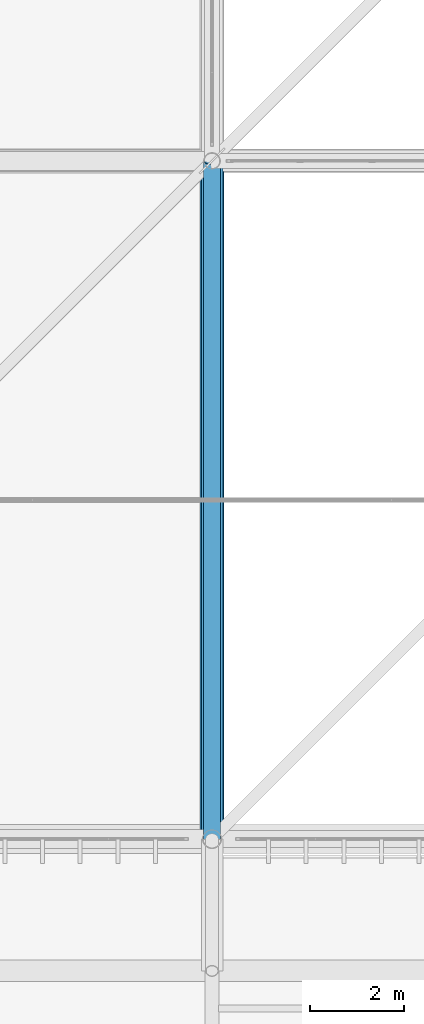
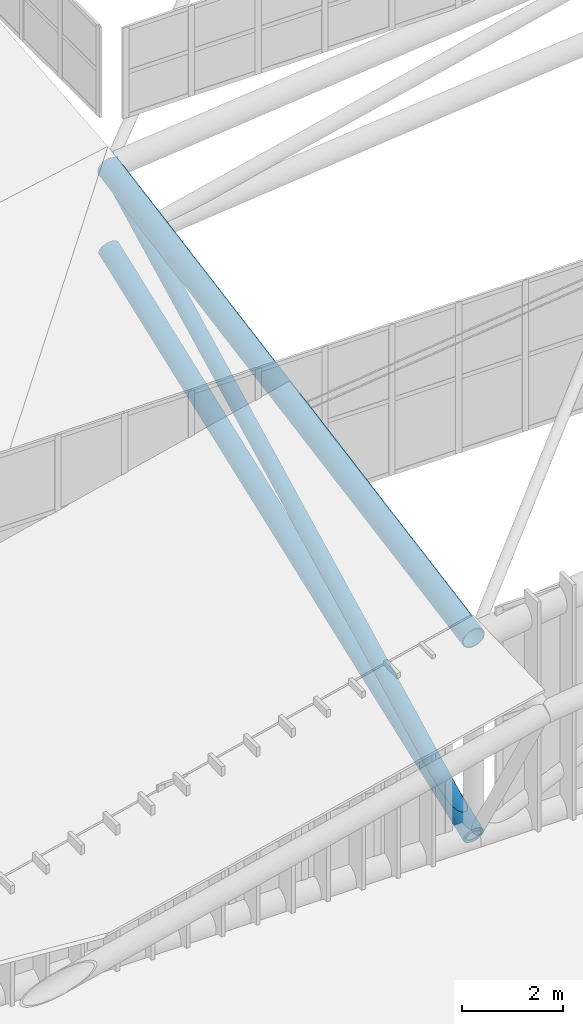
# One storey, part 14 of 397: 2 beams, 1 member.
"""IFC4 building model written with IfcOpenShell, lengths in metres."""

from ifc_helpers import new_model, si_unit, direction, frame, origin, origin_2d, place, context, subcontext, project, spatial, hollow_circle, extrude, material, material_profile, profile_set, type_object, element, save


model = new_model("IFC4")

# Units and contexts
model_context = context("Model", 3, precision=1e-05, world=origin(), true_north=direction((0.0, 1.0)))
body_context = subcontext(model_context, "Body", "Model", "MODEL_VIEW")
ifc_project = project(units=[si_unit("LENGTHUNIT", "METRE"), si_unit("AREAUNIT", "SQUARE_METRE"), si_unit("VOLUMEUNIT", "CUBIC_METRE"), si_unit("PLANEANGLEUNIT", "RADIAN"), si_unit("MASSUNIT", "GRAM", prefix="KILO")], contexts=[model_context])

# Site, building, storey
site_placement = place(None, origin())
site = spatial("IfcSite", under=ifc_project, at=site_placement, CompositionType="ELEMENT")
building_placement = place(site_placement, origin())
building = spatial("IfcBuilding", under=site, at=building_placement, Name="Qandorah Velis Arena", CompositionType="ELEMENT")
storey_placement = place(building_placement, frame((0.0, 0.0, 27.5)))
storey = spatial("IfcBuildingStorey", under=building, at=storey_placement, Name="RF", CompositionType="ELEMENT", Elevation=27.5)

# Beams
ifc_material = material(Name="Steel S355", Category="steel")
ifc_material_profile_1 = material_profile(ifc_material, hollow_circle(Radius=0.228515625, WallThickness=0.01611328125, at=origin_2d()), Name="CHS 457x16")
ifc_profile_set_1 = profile_set([ifc_material_profile_1], Name="Steel S355")
beam_type_1 = type_object("IfcBeamType", Name="STR-SFC-CHS457X16", PredefinedType="USERDEFINED", material=ifc_profile_set_1)
beam_1_placement = place(storey_placement, frame((28.800048828125, 14.39990234375, 0.10009765625), z_axis=(0.0, 0.936003351498, 0.351991087933), x_axis=(-1.0, 0.0, 0.0)))
element("IfcBeam", 1, at=beam_1_placement, inside=storey, type_object=beam_type_1, Name="Space frame roof truss bottom chord Y 1.0", ObjectType="ROOF TRUSS", PredefinedType="USERDEFINED", context=body_context, shape_type="SweptSolid", body=[
    extrude(hollow_circle(Radius=0.228515625, WallThickness=0.01611328125, at=origin_2d()), origin(), (0.0, 0.0, 1.0), 15.384765625),
])
ifc_material_profile_2 = material_profile(ifc_material, hollow_circle(Radius=0.25390625, WallThickness=0.02001953125, at=origin_2d()), Name="CHS 508x20")
ifc_profile_set_2 = profile_set([ifc_material_profile_2], Name="Steel S355")
beam_type_2 = type_object("IfcBeamType", Name="STR-SFC-CHS508X20", PredefinedType="USERDEFINED", material=ifc_profile_set_2)
beam_2_placement = place(storey_placement, frame((28.800048828125, 14.39990234375, 4.851806640625), z_axis=(0.0, 0.98392617816, 0.178575686845), x_axis=(-1.0, 0.0, 0.0)))
element("IfcBeam", 2, at=beam_2_placement, inside=storey, type_object=beam_type_2, Name="Space frame roof truss top chord Y 1.0", ObjectType="ROOF TRUSS", PredefinedType="USERDEFINED", context=body_context, shape_type="SweptSolid", body=[
    extrude(hollow_circle(Radius=0.25390625, WallThickness=0.02001953125, at=origin_2d()), origin(), (0.0, 0.0, 1.0), 14.635498046875),
])

# Member
ifc_material_profile_3 = material_profile(ifc_material, hollow_circle(Radius=0.177734375, WallThickness=0.01611328125, at=origin_2d()), Name="CHS 355.6x16")
ifc_profile_set_3 = profile_set([ifc_material_profile_3], Name="Steel S355")
member_type = type_object("IfcMemberType", Name="STR-SFD-CHS355X16", PredefinedType="STRUT", material=ifc_profile_set_3)
member_placement = place(storey_placement, frame((28.800048828125, 14.39990234375, 0.10009765625), z_axis=(0.0, 0.890305375726, 0.455363962072), x_axis=(-1.0, 0.0, 0.0)))
element("IfcMember", 3, at=member_placement, inside=storey, type_object=member_type, Name="Space frame roof diagonal Y 1.0", PredefinedType="STRUT", context=body_context, shape_type="SweptSolid", body=[
    extrude(hollow_circle(Radius=0.177734375, WallThickness=0.01611328125, at=origin_2d()), origin(), (0.0, 0.0, 1.0), 16.17431640625),
])

save(model, "model.ifc")
